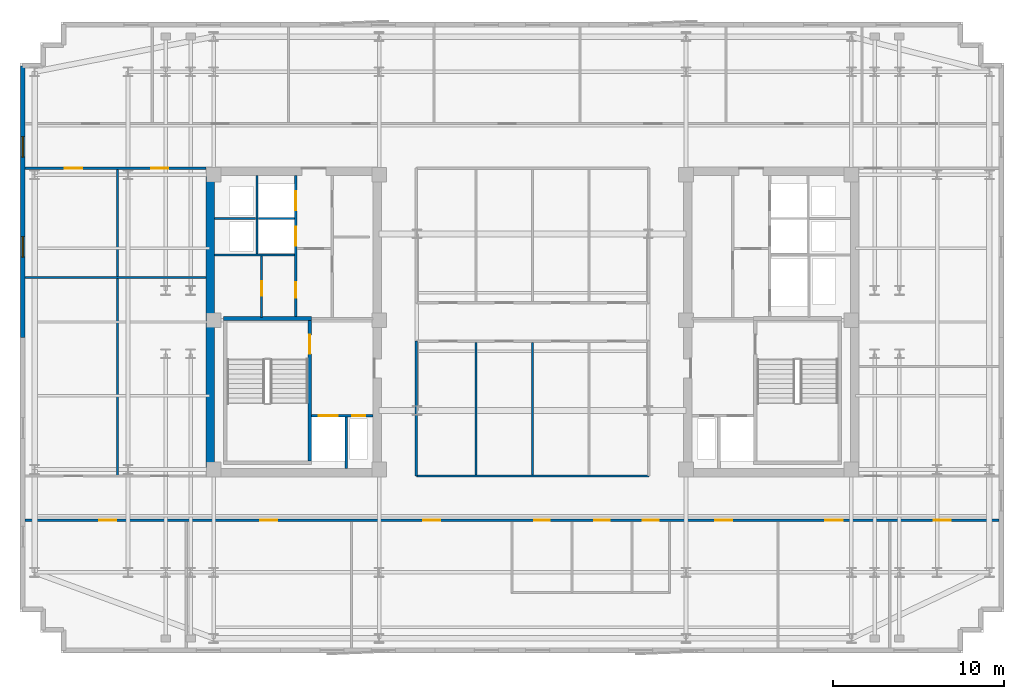
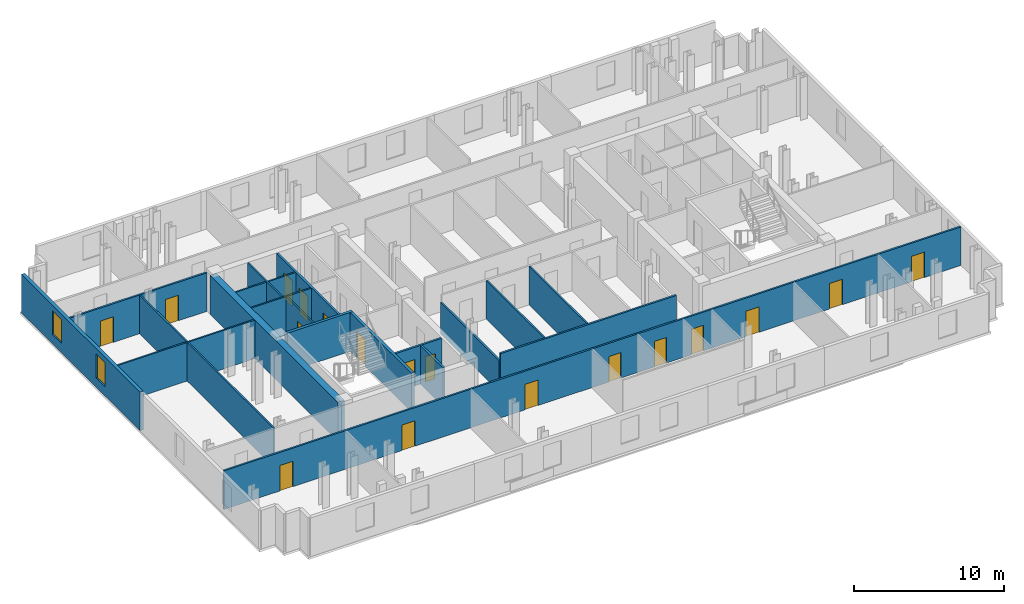
# One storey, part 4 of 10: 20 walls, 18 doors, 2 windows, 20 openings.
"""IFC4 building model written with IfcOpenShell, lengths in metres."""

from ifc_helpers import new_model, si_unit, direction, frame, frame_2d, origin, place, context, subcontext, project, spatial, rectangle, extrude, material, layer, layer_set, type_object, element, fill, save


model = new_model("IFC4")

# Units and contexts
model_context = context("Model", 3, precision=1e-05, world=origin(), true_north=direction((0.0, 1.0)))
body_context = subcontext(model_context, "Body", "Model", "MODEL_VIEW")
ifc_project = project(units=[si_unit("LENGTHUNIT", "METRE"), si_unit("AREAUNIT", "SQUARE_METRE"), si_unit("VOLUMEUNIT", "CUBIC_METRE"), si_unit("PLANEANGLEUNIT", "RADIAN"), si_unit("MASSUNIT", "GRAM", prefix="KILO")], contexts=[model_context])

# Site, building, storey
site_placement = place(None, origin())
site = spatial("IfcSite", under=ifc_project, at=site_placement, CompositionType="ELEMENT")
building_placement = place(site_placement, origin())
building = spatial("IfcBuilding", under=site, at=building_placement, Name="Velakula Bourse", CompositionType="ELEMENT")
storey_placement = place(building_placement, frame((0.0, 0.0, 239.550048828125)))
storey = spatial("IfcBuildingStorey", under=building, at=storey_placement, Name="L65", CompositionType="ELEMENT", Elevation=239.550048828125)

# Wall, opening, door
ifc_material_1 = material(Name="Concrete M50 (fck 50 MPa)", Category="concrete")
ifc_layer_1 = layer(ifc_material_1, 0.2099609375, Name="Concrete M50 (fck 50 MPa)", Category="concrete")
ifc_layer_set_1 = layer_set([ifc_layer_1], Name="Concrete M50 (fck 50 MPa)")
wall_type_1 = type_object("IfcWallType", Name="WL-CORE-210", PredefinedType="SHEAR", material=ifc_layer_set_1)
wall_1_placement = place(storey_placement, frame((-12.9951171875, -8.10009765625, 0.0), z_axis=(0.0, 0.0, 1.0), x_axis=(0.0, 1.0, 0.0)))
wall_1 = element("IfcWall", 1, at=wall_1_placement, inside=storey, type_object=wall_type_1, Name="L65 Core W Stairwell Shear Wall IN", PredefinedType="SHEAR", context=body_context, shape_type="SweptSolid", body=[
    extrude(rectangle(XDim=8.2001953125, YDim=0.2099609375, at=frame_2d((4.10009765625, 0.0))), origin(), (0.0, 0.0, 1.0), 3.169921875),
])
opening_1_placement = place(wall_1_placement, frame((6.25, 0.0, 0.0)))
opening_1 = element("IfcOpeningElement", 2, at=opening_1_placement, cuts=wall_1, Name="Opening D-STW1", PredefinedType="OPENING", context=body_context, shape_type="SweptSolid", body=[
    extrude(rectangle(XDim=1.10009765625, YDim=2.14990234375, at=frame_2d((0.550048828125, 1.074951171875))), frame((0.0, 0.114990234375, 0.0), z_axis=(0.0, -1.0, 0.0), x_axis=(1.0, 0.0, 0.0)), (0.0, 0.0, 1.0), 0.22998046875),
])
ifc_material_2 = material(Name="Galvanised painted hollow steel fire door", Category="steel")
door_type_1 = type_object("IfcDoorType", Name="DR-FD120-1100x2150", OperationType="NOTDEFINED", PredefinedType="DOOR", material=ifc_material_2)
door_1_placement = place(opening_1_placement, origin())
door_1 = element("IfcDoor", 3, at=door_1_placement, inside=storey, type_object=door_type_1, Name="L65 Stair ST-W1 Fire Door", OperationType="SINGLE_SWING_LEFT", OverallHeight=2.14990234375, OverallWidth=1.10009765625, PredefinedType="DOOR", context=body_context, shape_type="SweptSolid", body=[
    extrude(rectangle(XDim=1.10009765625, YDim=2.14990234375, at=frame_2d((0.550048828125, 1.074951171875))), frame((0.0, 0.02490234375, 0.0), z_axis=(0.0, -1.0, 0.0), x_axis=(1.0, 0.0, 0.0)), (0.0, 0.0, 1.0), 0.050048828125),
])
fill(opening_1, door_1)

# Walls
wall_2_placement = place(storey_placement, frame((-12.889892578125, 0.205078125, 0.0), z_axis=(0.0, 0.0, 1.0), x_axis=(-1.0, 0.0, 0.0)))
element("IfcWall", 4, at=wall_2_placement, inside=storey, type_object=wall_type_1, Name="L65 Core W Stairwell Shear Wall N", PredefinedType="SHEAR", context=body_context, shape_type="SweptSolid", body=[
    extrude(rectangle(XDim=5.14013671875, YDim=0.2099609375, at=frame_2d((2.570068359375, 0.0))), origin(), (0.0, 0.0, 1.0), 3.169921875),
])
ifc_layer_2 = layer(ifc_material_1, 0.5, Name="Concrete M50 (fck 50 MPa)", Category="concrete")
ifc_layer_set_2 = layer_set([ifc_layer_2], Name="Concrete M50 (fck 50 MPa)")
wall_type_2 = type_object("IfcWallType", Name="WL-CORE-500", PredefinedType="SHEAR", material=ifc_layer_set_2)
wall_3_placement = place(storey_placement, frame((-18.800048828125, -8.550048828125, 0.0), z_axis=(0.0, 0.0, 1.0), x_axis=(0.0, 1.0, 0.0)))
element("IfcWall", 5, at=wall_3_placement, inside=storey, type_object=wall_type_2, Name="L65 Core W Shear Wall W", PredefinedType="SHEAR", context=body_context, shape_type="SweptSolid", body=[
    extrude(rectangle(XDim=17.10009765625, YDim=0.5, at=frame_2d((8.550048828125, 0.0))), origin(), (0.0, 0.0, 1.0), 3.169921875),
])

# Wall, openings, windows
ifc_material_3 = material(Name="Buff kilned clay facing brick masonry", Category="masonry")
ifc_layer_3 = layer(ifc_material_3, 0.260009765625, Name="Buff kilned clay facing brick masonry", Category="masonry")
ifc_layer_set_3 = layer_set([ifc_layer_3], Name="Buff kilned clay facing brick masonry")
wall_type_3 = type_object("IfcWallType", Name="WL-EXT-BRK-260", PredefinedType="STANDARD", material=ifc_layer_set_3)
wall_4_placement = place(storey_placement, frame((-29.75, -0.89990234375, 0.0), z_axis=(0.0, 0.0, 1.0), x_axis=(0.0, 1.0, 0.0)))
wall_4 = element("IfcWall", 6, at=wall_4_placement, inside=storey, type_object=wall_type_3, Name="L65 W Brick End Wall W2", PredefinedType="STANDARD", context=body_context, shape_type="SweptSolid", body=[
    extrude(rectangle(XDim=15.849853515625, YDim=0.260009765625, at=frame_2d((7.9248046875, 0.0))), origin(), (0.0, 0.0, 1.0), 3.14990234375),
])
opening_2_placement = place(wall_4_placement, frame((4.683349609375, 0.0, 0.760009765625)))
opening_2 = element("IfcOpeningElement", 7, at=opening_2_placement, cuts=wall_4, Name="Opening W-04", PredefinedType="OPENING", context=body_context, shape_type="SweptSolid", body=[
    extrude(rectangle(XDim=1.199951171875, YDim=1.949951171875, at=frame_2d((0.60009765625, 0.97509765625))), frame((0.0, 0.139892578125, 0.0), z_axis=(0.0, -1.0, 0.0), x_axis=(1.0, 0.0, 0.0)), (0.0, 0.0, 1.0), 0.280029296875),
])
opening_3_placement = place(wall_4_placement, frame((10.5166015625, 0.0, 0.760009765625)))
opening_3 = element("IfcOpeningElement", 8, at=opening_3_placement, cuts=wall_4, Name="Opening W-04", PredefinedType="OPENING", context=body_context, shape_type="SweptSolid", body=[
    extrude(rectangle(XDim=1.199951171875, YDim=1.949951171875, at=frame_2d((0.60009765625, 0.97509765625))), frame((0.0, 0.139892578125, 0.0), z_axis=(0.0, -1.0, 0.0), x_axis=(1.0, 0.0, 0.0)), (0.0, 0.0, 1.0), 0.280029296875),
])
ifc_material_4 = material(Name="Double-glazed solar-control Low-E glass", Category="glass")
window_type = type_object("IfcWindowType", Name="WIN-TWR-1200x2100", PartitioningType="SINGLE_PANEL", PredefinedType="WINDOW", material=ifc_material_4)
window_1_placement = place(opening_2_placement, origin())
window_1 = element("IfcWindow", 9, at=window_1_placement, inside=storey, type_object=window_type, Name="L65 Deep-Set Recessed Window 1", OverallHeight=1.949951171875, OverallWidth=1.199951171875, PartitioningType="SINGLE_PANEL", PredefinedType="WINDOW", context=body_context, shape_type="SweptSolid", body=[
    extrude(rectangle(XDim=1.199951171875, YDim=1.949951171875, at=frame_2d((0.60009765625, 0.97509765625))), frame((0.0, 0.030029296875, 0.0), z_axis=(0.0, -1.0, 0.0), x_axis=(1.0, 0.0, 0.0)), (0.0, 0.0, 1.0), 0.06005859375),
])
fill(opening_2, window_1)
window_2_placement = place(opening_3_placement, origin())
window_2 = element("IfcWindow", 10, at=window_2_placement, inside=storey, type_object=window_type, Name="L65 Deep-Set Recessed Window 2", OverallHeight=1.949951171875, OverallWidth=1.199951171875, PartitioningType="SINGLE_PANEL", PredefinedType="WINDOW", context=body_context, shape_type="SweptSolid", body=[
    extrude(rectangle(XDim=1.199951171875, YDim=1.949951171875, at=frame_2d((0.60009765625, 0.97509765625))), frame((0.0, 0.030029296875, 0.0), z_axis=(0.0, -1.0, 0.0), x_axis=(1.0, 0.0, 0.0)), (0.0, 0.0, 1.0), 0.06005859375),
])
fill(opening_3, window_2)

# Walls
ifc_material_5 = material(Name="Fire-rated double-layer gypsum drywall partition", Category="gypsum")
ifc_layer_4 = layer(ifc_material_5, 0.1201171875, Name="Fire-rated double-layer gypsum drywall partition", Category="gypsum")
ifc_layer_set_4 = layer_set([ifc_layer_4], Name="Fire-rated double-layer gypsum drywall partition")
wall_type_4 = type_object("IfcWallType", Name="WL-PART-120", PredefinedType="STANDARD", material=ifc_layer_set_4)
wall_5_placement = place(storey_placement, frame((-18.550048828125, 3.919921875, 0.0), z_axis=(0.0, 0.0, 1.0), x_axis=(1.0, 0.0, 0.0)))
element("IfcWall", 11, at=wall_5_placement, inside=storey, type_object=wall_type_4, Name="L65 Interior Partition WL-CRW-L65-HI-S", PredefinedType="STANDARD", context=body_context, shape_type="SweptSolid", body=[
    extrude(rectangle(XDim=4.650146484375, YDim=0.1201171875, at=frame_2d((2.3251953125, 0.0))), origin(), (0.0, 0.0, 1.0), 3.14990234375),
])
wall_6_placement = place(storey_placement, frame((-18.550048828125, 6.030029296875, 0.0), z_axis=(0.0, 0.0, 1.0), x_axis=(1.0, 0.0, 0.0)))
element("IfcWall", 12, at=wall_6_placement, inside=storey, type_object=wall_type_4, Name="L65 Interior Partition WL-CRW-L65-RIS-MID", PredefinedType="STANDARD", context=body_context, shape_type="SweptSolid", body=[
    extrude(rectangle(XDim=2.400146484375, YDim=0.1201171875, at=frame_2d((1.2001953125, 0.0))), origin(), (0.0, 0.0, 1.0), 3.14990234375),
])
wall_7_placement = place(storey_placement, frame((-16.074951171875, 3.97998046875, 0.0), z_axis=(0.0, 0.0, 1.0), x_axis=(0.0, 1.0, 0.0)))
element("IfcWall", 13, at=wall_7_placement, inside=storey, type_object=wall_type_4, Name="L65 Interior Partition WL-CRW-L65-RIS-F", PredefinedType="STANDARD", context=body_context, shape_type="SweptSolid", body=[
    extrude(rectangle(XDim=4.570068359375, YDim=0.1201171875, at=frame_2d((2.28515625, 0.0))), origin(), (0.0, 0.0, 1.0), 3.14990234375),
])
wall_8_placement = place(storey_placement, frame((-16.0, 6.030029296875, 0.0), z_axis=(0.0, 0.0, 1.0), x_axis=(1.0, 0.0, 0.0)))
element("IfcWall", 14, at=wall_8_placement, inside=storey, type_object=wall_type_4, Name="L65 Interior Partition WL-CRW-L65-HI-DIV", PredefinedType="STANDARD", context=body_context, shape_type="SweptSolid", body=[
    extrude(rectangle(XDim=2.10009765625, YDim=0.1201171875, at=frame_2d((1.050048828125, 0.0))), origin(), (0.0, 0.0, 1.0), 3.14990234375),
])

# Wall, opening, door
wall_9_placement = place(storey_placement, frame((-15.800048828125, 0.27001953125, 0.0), z_axis=(0.0, 0.0, 1.0), x_axis=(0.0, 1.0, 0.0)))
wall_9 = element("IfcWall", 15, at=wall_9_placement, inside=storey, type_object=wall_type_4, Name="L65 Interior Partition WL-CRW-L65-K2", PredefinedType="STANDARD", context=body_context, shape_type="SweptSolid", body=[
    extrude(rectangle(XDim=3.590087890625, YDim=0.1201171875, at=frame_2d((1.794921875, 0.0))), origin(), (0.0, 0.0, 1.0), 3.14990234375),
])
opening_4_placement = place(wall_9_placement, frame((1.25, 0.0, 0.0)))
opening_4 = element("IfcOpeningElement", 16, at=opening_4_placement, cuts=wall_9, Name="Opening D-CE1", PredefinedType="OPENING", context=body_context, shape_type="SweptSolid", body=[
    extrude(rectangle(XDim=0.85009765625, YDim=2.050048828125, at=frame_2d((0.425048828125, 1.02490234375))), frame((0.0, 0.070068359375, 0.0), z_axis=(0.0, -1.0, 0.0), x_axis=(1.0, 0.0, 0.0)), (0.0, 0.0, 1.0), 0.14013671875),
])
ifc_material_6 = material(Name="Fire-rated hardwood flush architectural door", Category="wood")
door_type_2 = type_object("IfcDoorType", Name="DR-INT-850", OperationType="NOTDEFINED", PredefinedType="DOOR", material=ifc_material_6)
door_2_placement = place(opening_4_placement, origin())
door_2 = element("IfcDoor", 17, at=door_2_placement, inside=storey, type_object=door_type_2, Name="L65 Core Equipment Store Door", OperationType="SINGLE_SWING_RIGHT", OverallHeight=2.050048828125, OverallWidth=0.85009765625, PredefinedType="DOOR", context=body_context, shape_type="SweptSolid", body=[
    extrude(rectangle(XDim=0.85009765625, YDim=2.050048828125, at=frame_2d((0.425048828125, 1.02490234375))), frame((0.0, 0.02490234375, 0.0), z_axis=(0.0, -1.0, 0.0), x_axis=(1.0, 0.0, 0.0)), (0.0, 0.0, 1.0), 0.050048828125),
])
fill(opening_4, door_2)

# Walls
wall_10_placement = place(storey_placement, frame((-29.6201171875, 2.60009765625, 0.0), z_axis=(0.0, 0.0, 1.0), x_axis=(1.0, 0.0, 0.0)))
element("IfcWall", 18, at=wall_10_placement, inside=storey, type_object=wall_type_4, Name="L65 Interior Partition WL-INT-L65-W-H", PredefinedType="STANDARD", context=body_context, shape_type="SweptSolid", body=[
    extrude(rectangle(XDim=10.570068359375, YDim=0.1201171875, at=frame_2d((5.28515625, 0.0))), origin(), (0.0, 0.0, 1.0), 3.14990234375),
])
wall_11_placement = place(storey_placement, frame((-24.205078125, -8.97998046875, 0.0), z_axis=(0.0, 0.0, 1.0), x_axis=(0.0, 1.0, 0.0)))
element("IfcWall", 19, at=wall_11_placement, inside=storey, type_object=wall_type_4, Name="L65 Interior Partition WL-INT-L65-W-V1", PredefinedType="STANDARD", context=body_context, shape_type="SweptSolid", body=[
    extrude(rectangle(XDim=17.9599609375, YDim=0.1201171875, at=frame_2d((8.97998046875, 0.0))), origin(), (0.0, 0.0, 1.0), 3.14990234375),
])

# Wall, openings, doors
ifc_layer_5 = layer(ifc_material_5, 0.139892578125, Name="Fire-rated double-layer gypsum drywall partition", Category="gypsum")
ifc_layer_set_5 = layer_set([ifc_layer_5], Name="Fire-rated double-layer gypsum drywall partition")
wall_type_5 = type_object("IfcWallType", Name="WL-PART-140", PredefinedType="STANDARD", material=ifc_layer_set_5)
wall_12_placement = place(storey_placement, frame((-29.6201171875, -11.570068359375, 0.0), z_axis=(0.0, 0.0, 1.0), x_axis=(1.0, 0.0, 0.0)))
wall_12 = element("IfcWall", 20, at=wall_12_placement, inside=storey, type_object=wall_type_5, Name="L65 Interior Partition WL-INT-L65-S-CORR", PredefinedType="STANDARD", context=body_context, shape_type="SweptSolid", body=[
    extrude(rectangle(XDim=56.840087890625, YDim=0.139892578125, at=frame_2d((28.419921875, 0.0))), origin(), (0.0, 0.0, 1.0), 3.14990234375),
])
opening_5_placement = place(wall_12_placement, frame((29.7099609375, 0.0, 0.0)))
opening_5 = element("IfcOpeningElement", 21, at=opening_5_placement, cuts=wall_12, Name="Opening D-WT1", PredefinedType="OPENING", context=body_context, shape_type="SweptSolid", body=[
    extrude(rectangle(XDim=0.919921875, YDim=2.080078125, at=frame_2d((0.4599609375, 1.0400390625))), frame((0.0, 0.079833984375, 0.0), z_axis=(0.0, -1.0, 0.0), x_axis=(1.0, 0.0, 0.0)), (0.0, 0.0, 1.0), 0.159912109375),
])
opening_6_placement = place(wall_12_placement, frame((33.2099609375, 0.0, 0.0)))
opening_6 = element("IfcOpeningElement", 22, at=opening_6_placement, cuts=wall_12, Name="Opening D-WT1", PredefinedType="OPENING", context=body_context, shape_type="SweptSolid", body=[
    extrude(rectangle(XDim=0.919921875, YDim=2.080078125, at=frame_2d((0.4599609375, 1.0400390625))), frame((0.0, 0.079833984375, 0.0), z_axis=(0.0, -1.0, 0.0), x_axis=(1.0, 0.0, 0.0)), (0.0, 0.0, 1.0), 0.159912109375),
])
opening_7_placement = place(wall_12_placement, frame((36.06005859375, 0.0, 0.0)))
opening_7 = element("IfcOpeningElement", 23, at=opening_7_placement, cuts=wall_12, Name="Opening D-WC1", PredefinedType="OPENING", context=body_context, shape_type="SweptSolid", body=[
    extrude(rectangle(XDim=0.919921875, YDim=2.080078125, at=frame_2d((0.4599609375, 1.0400390625))), frame((0.0, 0.079833984375, 0.0), z_axis=(0.0, -1.0, 0.0), x_axis=(1.0, 0.0, 0.0)), (0.0, 0.0, 1.0), 0.159912109375),
])
opening_8_placement = place(wall_12_placement, frame((4.33544921875, 0.0, 0.0)))
opening_8 = element("IfcOpeningElement", 24, at=opening_8_placement, cuts=wall_12, Name="Opening D-OF1", PredefinedType="OPENING", context=body_context, shape_type="SweptSolid", body=[
    extrude(rectangle(XDim=1.0, YDim=2.080078125, at=frame_2d((0.5, 1.0400390625))), frame((0.0, 0.079833984375, 0.0), z_axis=(0.0, -1.0, 0.0), x_axis=(1.0, 0.0, 0.0)), (0.0, 0.0, 1.0), 0.159912109375),
])
opening_9_placement = place(wall_12_placement, frame((13.739990234375, 0.0, 0.0)))
opening_9 = element("IfcOpeningElement", 25, at=opening_9_placement, cuts=wall_12, Name="Opening D-OF1", PredefinedType="OPENING", context=body_context, shape_type="SweptSolid", body=[
    extrude(rectangle(XDim=1.0, YDim=2.080078125, at=frame_2d((0.5, 1.0400390625))), frame((0.0, 0.079833984375, 0.0), z_axis=(0.0, -1.0, 0.0), x_axis=(1.0, 0.0, 0.0)), (0.0, 0.0, 1.0), 0.159912109375),
])
opening_10_placement = place(wall_12_placement, frame((23.240478515625, 0.0, 0.0)))
opening_10 = element("IfcOpeningElement", 26, at=opening_10_placement, cuts=wall_12, Name="Opening D-OF1", PredefinedType="OPENING", context=body_context, shape_type="SweptSolid", body=[
    extrude(rectangle(XDim=1.0, YDim=2.080078125, at=frame_2d((0.5, 1.0400390625))), frame((0.0, 0.079833984375, 0.0), z_axis=(0.0, -1.0, 0.0), x_axis=(1.0, 0.0, 0.0)), (0.0, 0.0, 1.0), 0.159912109375),
])
opening_11_placement = place(wall_12_placement, frame((40.281494140625, 0.0, 0.0)))
opening_11 = element("IfcOpeningElement", 27, at=opening_11_placement, cuts=wall_12, Name="Opening D-OF1", PredefinedType="OPENING", context=body_context, shape_type="SweptSolid", body=[
    extrude(rectangle(XDim=1.0, YDim=2.080078125, at=frame_2d((0.5, 1.0400390625))), frame((0.0, 0.079833984375, 0.0), z_axis=(0.0, -1.0, 0.0), x_axis=(1.0, 0.0, 0.0)), (0.0, 0.0, 1.0), 0.159912109375),
])
opening_12_placement = place(wall_12_placement, frame((46.699951171875, 0.0, 0.0)))
opening_12 = element("IfcOpeningElement", 28, at=opening_12_placement, cuts=wall_12, Name="Opening D-OF1", PredefinedType="OPENING", context=body_context, shape_type="SweptSolid", body=[
    extrude(rectangle(XDim=1.0, YDim=2.080078125, at=frame_2d((0.5, 1.0400390625))), frame((0.0, 0.079833984375, 0.0), z_axis=(0.0, -1.0, 0.0), x_axis=(1.0, 0.0, 0.0)), (0.0, 0.0, 1.0), 0.159912109375),
])
opening_13_placement = place(wall_12_placement, frame((53.0224609375, 0.0, 0.0)))
opening_13 = element("IfcOpeningElement", 29, at=opening_13_placement, cuts=wall_12, Name="Opening D-OF1", PredefinedType="OPENING", context=body_context, shape_type="SweptSolid", body=[
    extrude(rectangle(XDim=1.0, YDim=2.080078125, at=frame_2d((0.5, 1.0400390625))), frame((0.0, 0.079833984375, 0.0), z_axis=(0.0, -1.0, 0.0), x_axis=(1.0, 0.0, 0.0)), (0.0, 0.0, 1.0), 0.159912109375),
])
door_type_3 = type_object("IfcDoorType", Name="DR-OFF-1000", OperationType="NOTDEFINED", PredefinedType="DOOR", material=ifc_material_6)
door_3_placement = place(opening_8_placement, origin())
door_3 = element("IfcDoor", 30, at=door_3_placement, inside=storey, type_object=door_type_3, Name="L65 Sky-Garden Veranda Lounge Door", OperationType="SINGLE_SWING_LEFT", OverallHeight=2.080078125, OverallWidth=1.0, PredefinedType="DOOR", context=body_context, shape_type="SweptSolid", body=[
    extrude(rectangle(XDim=1.0, YDim=2.080078125, at=frame_2d((0.5, 1.0400390625))), frame((0.0, 0.02490234375, 0.0), z_axis=(0.0, -1.0, 0.0), x_axis=(1.0, 0.0, 0.0)), (0.0, 0.0, 1.0), 0.050048828125),
])
fill(opening_8, door_3)
door_4_placement = place(opening_9_placement, origin())
door_4 = element("IfcDoor", 31, at=door_4_placement, inside=storey, type_object=door_type_3, Name="L65 Issuer Relations Office Door", OperationType="SINGLE_SWING_RIGHT", OverallHeight=2.080078125, OverallWidth=1.0, PredefinedType="DOOR", context=body_context, shape_type="SweptSolid", body=[
    extrude(rectangle(XDim=1.0, YDim=2.080078125, at=frame_2d((0.5, 1.0400390625))), frame((0.0, 0.02490234375, 0.0), z_axis=(0.0, -1.0, 0.0), x_axis=(1.0, 0.0, 0.0)), (0.0, 0.0, 1.0), 0.050048828125),
])
fill(opening_9, door_4)
door_5_placement = place(opening_10_placement, origin())
door_5 = element("IfcDoor", 32, at=door_5_placement, inside=storey, type_object=door_type_3, Name="L65 Yield Curve Seminar Room Door", OperationType="SINGLE_SWING_LEFT", OverallHeight=2.080078125, OverallWidth=1.0, PredefinedType="DOOR", context=body_context, shape_type="SweptSolid", body=[
    extrude(rectangle(XDim=1.0, YDim=2.080078125, at=frame_2d((0.5, 1.0400390625))), frame((0.0, 0.02490234375, 0.0), z_axis=(0.0, -1.0, 0.0), x_axis=(1.0, 0.0, 0.0)), (0.0, 0.0, 1.0), 0.050048828125),
])
fill(opening_10, door_5)
door_6_placement = place(opening_11_placement, origin())
door_6 = element("IfcDoor", 33, at=door_6_placement, inside=storey, type_object=door_type_3, Name="L65 Traders Pantry Door", OperationType="SINGLE_SWING_RIGHT", OverallHeight=2.080078125, OverallWidth=1.0, PredefinedType="DOOR", context=body_context, shape_type="SweptSolid", body=[
    extrude(rectangle(XDim=1.0, YDim=2.080078125, at=frame_2d((0.5, 1.0400390625))), frame((0.0, 0.02490234375, 0.0), z_axis=(0.0, -1.0, 0.0), x_axis=(1.0, 0.0, 0.0)), (0.0, 0.0, 1.0), 0.050048828125),
])
fill(opening_11, door_6)
door_7_placement = place(opening_12_placement, origin())
door_7 = element("IfcDoor", 34, at=door_7_placement, inside=storey, type_object=door_type_3, Name="L65 ESG Rating Analytics Workspace Door", OperationType="SINGLE_SWING_LEFT", OverallHeight=2.080078125, OverallWidth=1.0, PredefinedType="DOOR", context=body_context, shape_type="SweptSolid", body=[
    extrude(rectangle(XDim=1.0, YDim=2.080078125, at=frame_2d((0.5, 1.0400390625))), frame((0.0, 0.02490234375, 0.0), z_axis=(0.0, -1.0, 0.0), x_axis=(1.0, 0.0, 0.0)), (0.0, 0.0, 1.0), 0.050048828125),
])
fill(opening_12, door_7)
door_8_placement = place(opening_13_placement, origin())
door_8 = element("IfcDoor", 35, at=door_8_placement, inside=storey, type_object=door_type_3, Name="L65 Issuer Relations Office Door", OperationType="SINGLE_SWING_RIGHT", OverallHeight=2.080078125, OverallWidth=1.0, PredefinedType="DOOR", context=body_context, shape_type="SweptSolid", body=[
    extrude(rectangle(XDim=1.0, YDim=2.080078125, at=frame_2d((0.5, 1.0400390625))), frame((0.0, 0.02490234375, 0.0), z_axis=(0.0, -1.0, 0.0), x_axis=(1.0, 0.0, 0.0)), (0.0, 0.0, 1.0), 0.050048828125),
])
fill(opening_13, door_8)
door_type_4 = type_object("IfcDoorType", Name="DR-WC-950", OperationType="NOTDEFINED", PredefinedType="DOOR", material=ifc_material_6)
door_9_placement = place(opening_5_placement, origin())
door_9 = element("IfcDoor", 36, at=door_9_placement, inside=storey, type_object=door_type_4, Name="L65 Male Staff Toilet Door", OperationType="SINGLE_SWING_RIGHT", OverallHeight=2.080078125, OverallWidth=0.919921875, PredefinedType="DOOR", context=body_context, shape_type="SweptSolid", body=[
    extrude(rectangle(XDim=0.919921875, YDim=2.080078125, at=frame_2d((0.4599609375, 1.0400390625))), frame((0.0, 0.02490234375, 0.0), z_axis=(0.0, -1.0, 0.0), x_axis=(1.0, 0.0, 0.0)), (0.0, 0.0, 1.0), 0.050048828125),
])
fill(opening_5, door_9)
door_10_placement = place(opening_6_placement, origin())
door_10 = element("IfcDoor", 37, at=door_10_placement, inside=storey, type_object=door_type_4, Name="L65 Female Staff Toilet Door", OperationType="SINGLE_SWING_LEFT", OverallHeight=2.080078125, OverallWidth=0.919921875, PredefinedType="DOOR", context=body_context, shape_type="SweptSolid", body=[
    extrude(rectangle(XDim=0.919921875, YDim=2.080078125, at=frame_2d((0.4599609375, 1.0400390625))), frame((0.0, 0.02490234375, 0.0), z_axis=(0.0, -1.0, 0.0), x_axis=(1.0, 0.0, 0.0)), (0.0, 0.0, 1.0), 0.050048828125),
])
fill(opening_6, door_10)
door_11_placement = place(opening_7_placement, origin())
door_11 = element("IfcDoor", 38, at=door_11_placement, inside=storey, type_object=door_type_4, Name="L65 Accessible WC Door", OperationType="SINGLE_SWING_RIGHT", OverallHeight=2.080078125, OverallWidth=0.919921875, PredefinedType="DOOR", context=body_context, shape_type="SweptSolid", body=[
    extrude(rectangle(XDim=0.919921875, YDim=2.080078125, at=frame_2d((0.4599609375, 1.0400390625))), frame((0.0, 0.02490234375, 0.0), z_axis=(0.0, -1.0, 0.0), x_axis=(1.0, 0.0, 0.0)), (0.0, 0.0, 1.0), 0.050048828125),
])
fill(opening_7, door_11)

wall_13_placement = place(storey_placement, frame((-29.6201171875, 8.97998046875, 0.0), z_axis=(0.0, 0.0, 1.0), x_axis=(1.0, 0.0, 0.0)))
wall_13 = element("IfcWall", 39, at=wall_13_placement, inside=storey, type_object=wall_type_5, Name="L65 Interior Partition WL-INT-L65-W-NC", PredefinedType="STANDARD", context=body_context, shape_type="SweptSolid", body=[
    extrude(rectangle(XDim=10.570068359375, YDim=0.139892578125, at=frame_2d((5.28515625, 0.0))), origin(), (0.0, 0.0, 1.0), 3.14990234375),
])
opening_14_placement = place(wall_13_placement, frame((2.33740234375, 0.0, 0.0)))
opening_14 = element("IfcOpeningElement", 40, at=opening_14_placement, cuts=wall_13, Name="Opening D-OF1", PredefinedType="OPENING", context=body_context, shape_type="SweptSolid", body=[
    extrude(rectangle(XDim=1.0, YDim=2.080078125, at=frame_2d((0.5, 1.0400390625))), frame((0.0, 0.079833984375, 0.0), z_axis=(0.0, -1.0, 0.0), x_axis=(1.0, 0.0, 0.0)), (0.0, 0.0, 1.0), 0.159912109375),
])
opening_15_placement = place(wall_13_placement, frame((7.362548828125, 0.0, 0.0)))
opening_15 = element("IfcOpeningElement", 41, at=opening_15_placement, cuts=wall_13, Name="Opening D-OF1", PredefinedType="OPENING", context=body_context, shape_type="SweptSolid", body=[
    extrude(rectangle(XDim=1.0, YDim=2.080078125, at=frame_2d((0.5, 1.0400390625))), frame((0.0, 0.079833984375, 0.0), z_axis=(0.0, -1.0, 0.0), x_axis=(1.0, 0.0, 0.0)), (0.0, 0.0, 1.0), 0.159912109375),
])
door_12_placement = place(opening_14_placement, origin())
door_12 = element("IfcDoor", 42, at=door_12_placement, inside=storey, type_object=door_type_3, Name="L65 Issuer Relations Office Door", OperationType="SINGLE_SWING_LEFT", OverallHeight=2.080078125, OverallWidth=1.0, PredefinedType="DOOR", context=body_context, shape_type="SweptSolid", body=[
    extrude(rectangle(XDim=1.0, YDim=2.080078125, at=frame_2d((0.5, 1.0400390625))), frame((0.0, 0.02490234375, 0.0), z_axis=(0.0, -1.0, 0.0), x_axis=(1.0, 0.0, 0.0)), (0.0, 0.0, 1.0), 0.050048828125),
])
fill(opening_14, door_12)
door_13_placement = place(opening_15_placement, origin())
door_13 = element("IfcDoor", 43, at=door_13_placement, inside=storey, type_object=door_type_3, Name="L65 Arbitration Conference Room Door", OperationType="SINGLE_SWING_RIGHT", OverallHeight=2.080078125, OverallWidth=1.0, PredefinedType="DOOR", context=body_context, shape_type="SweptSolid", body=[
    extrude(rectangle(XDim=1.0, YDim=2.080078125, at=frame_2d((0.5, 1.0400390625))), frame((0.0, 0.02490234375, 0.0), z_axis=(0.0, -1.0, 0.0), x_axis=(1.0, 0.0, 0.0)), (0.0, 0.0, 1.0), 0.050048828125),
])
fill(opening_15, door_13)

# Walls
wall_14_placement = place(storey_placement, frame((-6.780029296875, -8.97998046875, 0.0), z_axis=(0.0, 0.0, 1.0), x_axis=(1.0, 0.0, 0.0)))
element("IfcWall", 44, at=wall_14_placement, inside=storey, type_object=wall_type_5, Name="L65 Interior Partition WL-INT-L65-MS-OUT", PredefinedType="STANDARD", context=body_context, shape_type="SweptSolid", body=[
    extrude(rectangle(XDim=13.56005859375, YDim=0.139892578125, at=frame_2d((6.780029296875, 0.0))), origin(), (0.0, 0.0, 1.0), 3.14990234375),
])
wall_15_placement = place(storey_placement, frame((-6.780029296875, -8.97998046875, 0.0), z_axis=(0.0, 0.0, 1.0), x_axis=(0.0, 1.0, 0.0)))
element("IfcWall", 45, at=wall_15_placement, inside=storey, type_object=wall_type_5, Name="L65 Interior Partition WL-INT-L65-MS-W", PredefinedType="STANDARD", context=body_context, shape_type="SweptSolid", body=[
    extrude(rectangle(XDim=7.85986328125, YDim=0.139892578125, at=frame_2d((3.929931640625, 0.0))), origin(), (0.0, 0.0, 1.0), 2.544921875),
])
for number, where, z_axis, x_axis, name in (
    (46, (-3.300048828125, -8.909912109375, 0.0), (0.0, 0.0, 1.0), (0.0, 1.0, 0.0), "L65 Interior Partition WL-INT-L65-MS-V1"),
    (47, (0.0, -8.909912109375, 0.0), (0.0, 0.0, 1.0), (0.0, 1.0, 0.0), "L65 Interior Partition WL-INT-L65-MS-V2"),
):
    element("IfcWall", number, at=place(storey_placement, frame(where, z_axis=z_axis, x_axis=x_axis)), inside=storey, type_object=wall_type_5, Name=name, PredefinedType="STANDARD", context=body_context, shape_type="SweptSolid", body=[
        extrude(rectangle(XDim=7.719970703125, YDim=0.1201171875, at=frame_2d((3.85986328125, 0.0))), origin(), (0.0, 0.0, 1.0), 3.14990234375),
    ])

# Wall, openings, doors
ifc_material_7 = material(Name="Autoclaved aerated concrete blockwork masonry", Category="masonry")
ifc_layer_6 = layer(ifc_material_7, 0.14990234375, Name="Autoclaved aerated concrete blockwork masonry", Category="masonry")
ifc_layer_set_6 = layer_set([ifc_layer_6], Name="Autoclaved aerated concrete blockwork masonry")
wall_type_6 = type_object("IfcWallType", Name="WL-SHAFT-150", PredefinedType="STANDARD", material=ifc_layer_set_6)
wall_16_placement = place(storey_placement, frame((-12.89501953125, -5.47509765625, 0.0), z_axis=(0.0, 0.0, 1.0), x_axis=(1.0, 0.0, 0.0)))
wall_16 = element("IfcWall", 48, at=wall_16_placement, inside=storey, type_object=wall_type_6, Name="L65 Interior Partition WL-CRW-L65-FFL-N", PredefinedType="STANDARD", context=body_context, shape_type="SweptSolid", body=[
    extrude(rectangle(XDim=3.594970703125, YDim=0.14990234375, at=frame_2d((1.79736328125, 0.0))), origin(), (0.0, 0.0, 1.0), 3.14990234375),
])
opening_16_placement = place(wall_16_placement, frame((0.419921875, 0.0, 0.0)))
opening_16 = element("IfcOpeningElement", 49, at=opening_16_placement, cuts=wall_16, Name="Opening LD-FFL-1", PredefinedType="OPENING", context=body_context, shape_type="SweptSolid", body=[
    extrude(rectangle(XDim=1.10009765625, YDim=2.14990234375, at=frame_2d((0.550048828125, 1.074951171875))), frame((0.0, 0.0849609375, 0.0), z_axis=(0.0, -1.0, 0.0), x_axis=(1.0, 0.0, 0.0)), (0.0, 0.0, 1.0), 0.169921875),
])
opening_17_placement = place(wall_16_placement, frame((2.3701171875, 0.0, 0.0)))
opening_17 = element("IfcOpeningElement", 50, at=opening_17_placement, cuts=wall_16, Name="Opening D-RS1", PredefinedType="OPENING", context=body_context, shape_type="SweptSolid", body=[
    extrude(rectangle(XDim=0.75, YDim=2.050048828125, at=frame_2d((0.375, 1.02490234375))), frame((0.0, 0.0849609375, 0.0), z_axis=(0.0, -1.0, 0.0), x_axis=(1.0, 0.0, 0.0)), (0.0, 0.0, 1.0), 0.169921875),
])
door_type_5 = type_object("IfcDoorType", Name="DR-RISER-800", OperationType="NOTDEFINED", PredefinedType="DOOR", material=ifc_material_2)
door_14_placement = place(opening_17_placement, origin())
door_14 = element("IfcDoor", 51, at=door_14_placement, inside=storey, type_object=door_type_5, Name="L65 Fire Riser Access Door", OperationType="SINGLE_SWING_RIGHT", OverallHeight=2.050048828125, OverallWidth=0.75, PredefinedType="DOOR", context=body_context, shape_type="SweptSolid", body=[
    extrude(rectangle(XDim=0.75, YDim=2.050048828125, at=frame_2d((0.375, 1.02490234375))), frame((0.0, 0.02490234375, 0.0), z_axis=(0.0, -1.0, 0.0), x_axis=(1.0, 0.0, 0.0)), (0.0, 0.0, 1.0), 0.050048828125),
])
fill(opening_17, door_14)
ifc_material_8 = material(Name="Brushed grade 316 stainless steel", Category="steel")
door_type_6 = type_object("IfcDoorType", Name="DR-SLIDE-FFL-1100", OperationType="DOUBLE_DOOR_SLIDING", PredefinedType="DOOR", material=ifc_material_8)
door_15_placement = place(opening_16_placement, origin())
door_15 = element("IfcDoor", 52, at=door_15_placement, inside=storey, type_object=door_type_6, Name="L65 Firefighting Lift FFL-1 Sliding Landing Door", OperationType="DOUBLE_DOOR_SLIDING", OverallHeight=2.14990234375, OverallWidth=1.10009765625, PredefinedType="DOOR", context=body_context, shape_type="SweptSolid", body=[
    extrude(rectangle(XDim=1.10009765625, YDim=2.14990234375, at=frame_2d((0.550048828125, 1.074951171875))), frame((0.0, 0.02490234375, 0.0), z_axis=(0.0, -1.0, 0.0), x_axis=(1.0, 0.0, 0.0)), (0.0, 0.0, 1.0), 0.050048828125),
])
fill(opening_16, door_15)

# Wall
wall_17_placement = place(storey_placement, frame((-10.875, -8.550048828125, 0.0), z_axis=(0.0, 0.0, 1.0), x_axis=(0.0, 1.0, 0.0)))
element("IfcWall", 53, at=wall_17_placement, inside=storey, type_object=wall_type_6, Name="L65 Interior Partition WL-CRW-L65-FR-DIV", PredefinedType="STANDARD", context=body_context, shape_type="SweptSolid", body=[
    extrude(rectangle(XDim=3.0, YDim=0.14990234375, at=frame_2d((1.5, 0.0))), origin(), (0.0, 0.0, 1.0), 3.14990234375),
])

# Wall, openings, doors
wall_18_placement = place(storey_placement, frame((-13.824951171875, 0.27001953125, 0.0), z_axis=(0.0, 0.0, 1.0), x_axis=(0.0, 1.0, 0.0)))
wall_18 = element("IfcWall", 54, at=wall_18_placement, inside=storey, type_object=wall_type_6, Name="L65 Interior Partition WL-CRW-L65-OUT-F", PredefinedType="STANDARD", context=body_context, shape_type="SweptSolid", body=[
    extrude(rectangle(XDim=8.280029296875, YDim=0.14990234375, at=frame_2d((4.14013671875, 0.0))), origin(), (0.0, 0.0, 1.0), 3.14990234375),
])
opening_18_placement = place(wall_18_placement, frame((4.175048828125, 0.0, 0.0)))
opening_18 = element("IfcOpeningElement", 55, at=opening_18_placement, cuts=wall_18, Name="Opening LD-P9", PredefinedType="OPENING", context=body_context, shape_type="SweptSolid", body=[
    extrude(rectangle(XDim=1.10009765625, YDim=2.10009765625, at=frame_2d((0.550048828125, 1.050048828125))), frame((0.0, 0.0849609375, 0.0), z_axis=(0.0, -1.0, 0.0), x_axis=(1.0, 0.0, 0.0)), (0.0, 0.0, 1.0), 0.169921875),
])
opening_19_placement = place(wall_18_placement, frame((6.2451171875, 0.0, 0.0)))
opening_19 = element("IfcOpeningElement", 56, at=opening_19_placement, cuts=wall_18, Name="Opening LD-P10", PredefinedType="OPENING", context=body_context, shape_type="SweptSolid", body=[
    extrude(rectangle(XDim=1.10009765625, YDim=2.10009765625, at=frame_2d((0.550048828125, 1.050048828125))), frame((0.0, 0.0849609375, 0.0), z_axis=(0.0, -1.0, 0.0), x_axis=(1.0, 0.0, 0.0)), (0.0, 0.0, 1.0), 0.169921875),
])
opening_20_placement = place(wall_18_placement, frame((1.14990234375, 0.0, 0.0)))
opening_20 = element("IfcOpeningElement", 57, at=opening_20_placement, cuts=wall_18, Name="Opening D-CP1", PredefinedType="OPENING", context=body_context, shape_type="SweptSolid", body=[
    extrude(rectangle(XDim=0.89990234375, YDim=2.050048828125, at=frame_2d((0.449951171875, 1.02490234375))), frame((0.0, 0.0849609375, 0.0), z_axis=(0.0, -1.0, 0.0), x_axis=(1.0, 0.0, 0.0)), (0.0, 0.0, 1.0), 0.169921875),
])
door_type_7 = type_object("IfcDoorType", Name="DR-INT-900", OperationType="NOTDEFINED", PredefinedType="DOOR", material=ifc_material_6)
door_16_placement = place(opening_20_placement, origin())
door_16 = element("IfcDoor", 58, at=door_16_placement, inside=storey, type_object=door_type_7, Name="L65 Core Tea Pantry Door", OperationType="SINGLE_SWING_LEFT", OverallHeight=2.050048828125, OverallWidth=0.89990234375, PredefinedType="DOOR", context=body_context, shape_type="SweptSolid", body=[
    extrude(rectangle(XDim=0.89990234375, YDim=2.050048828125, at=frame_2d((0.449951171875, 1.02490234375))), frame((0.0, 0.02490234375, 0.0), z_axis=(0.0, -1.0, 0.0), x_axis=(1.0, 0.0, 0.0)), (0.0, 0.0, 1.0), 0.050048828125),
])
fill(opening_20, door_16)
door_type_8 = type_object("IfcDoorType", Name="DR-SLIDE-LD-1100", OperationType="DOUBLE_DOOR_SLIDING", PredefinedType="DOOR", material=ifc_material_8)
door_17_placement = place(opening_18_placement, origin())
door_17 = element("IfcDoor", 59, at=door_17_placement, inside=storey, type_object=door_type_8, Name="L65 Passenger Lift P9 Sliding Landing Door", OperationType="DOUBLE_DOOR_SLIDING", OverallHeight=2.10009765625, OverallWidth=1.10009765625, PredefinedType="DOOR", context=body_context, shape_type="SweptSolid", body=[
    extrude(rectangle(XDim=1.10009765625, YDim=2.10009765625, at=frame_2d((0.550048828125, 1.050048828125))), frame((0.0, 0.02490234375, 0.0), z_axis=(0.0, -1.0, 0.0), x_axis=(1.0, 0.0, 0.0)), (0.0, 0.0, 1.0), 0.050048828125),
])
fill(opening_18, door_17)
door_18_placement = place(opening_19_placement, origin())
door_18 = element("IfcDoor", 60, at=door_18_placement, inside=storey, type_object=door_type_8, Name="L65 Passenger Lift P10 Sliding Landing Door", OperationType="DOUBLE_DOOR_SLIDING", OverallHeight=2.10009765625, OverallWidth=1.10009765625, PredefinedType="DOOR", context=body_context, shape_type="SweptSolid", body=[
    extrude(rectangle(XDim=1.10009765625, YDim=2.10009765625, at=frame_2d((0.550048828125, 1.050048828125))), frame((0.0, 0.02490234375, 0.0), z_axis=(0.0, -1.0, 0.0), x_axis=(1.0, 0.0, 0.0)), (0.0, 0.0, 1.0), 0.050048828125),
])
fill(opening_19, door_18)

save(model, "model.ifc")
